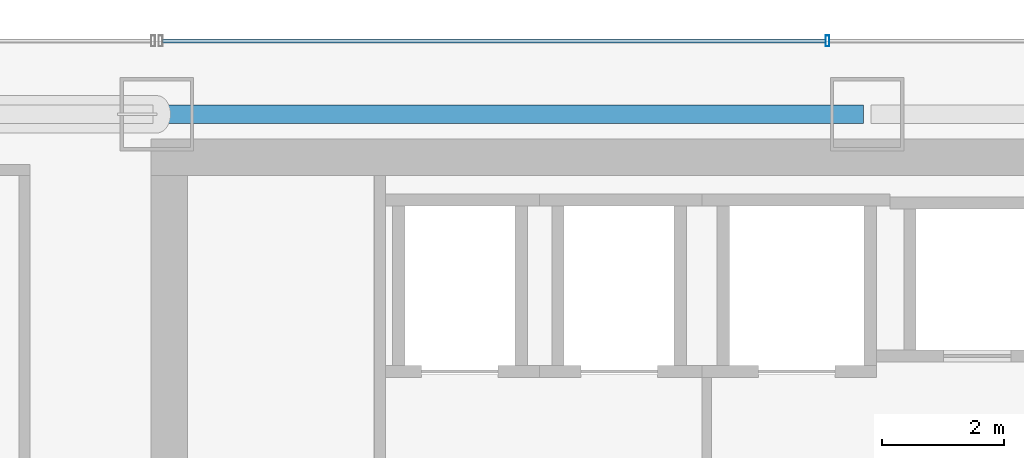
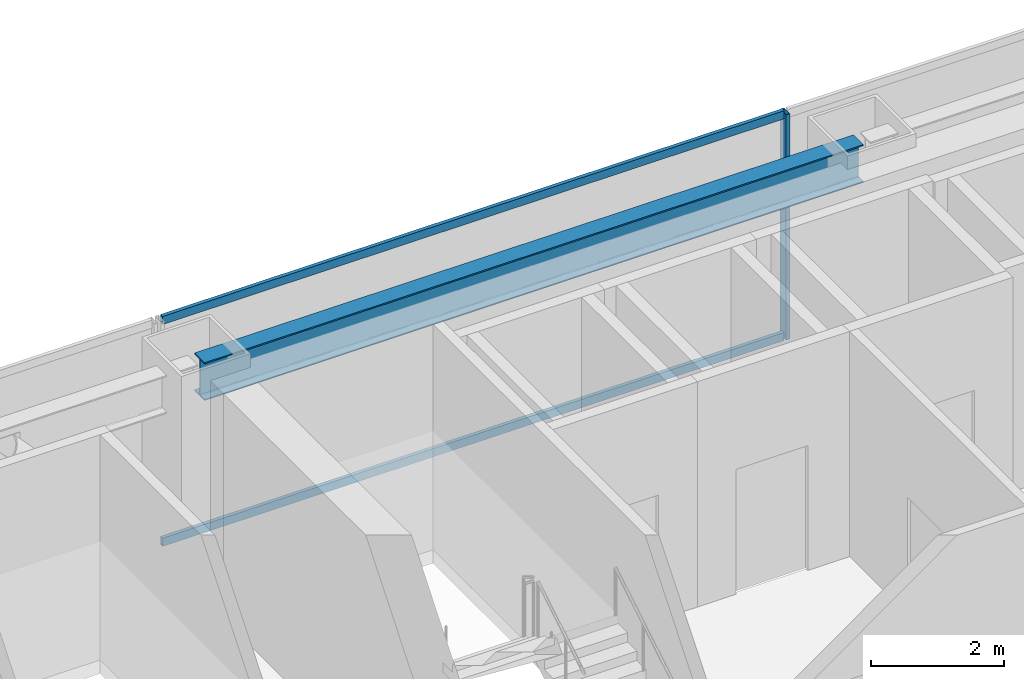
# One storey, part 27 of 47: 3 members, 1 beam, 1 element without a shape of its own.
"""IFC4 building model written with IfcOpenShell, lengths in metres."""

from ifc_helpers import new_model, si_unit, direction, frame, origin, origin_2d, place, context, subcontext, project, spatial, hollow_rectangle, i_section, extrude, material, material_profile, profile_set, type_object, element, aggregate, save


model = new_model("IFC4")

# Units and contexts
model_context = context("Model", 3, precision=1e-05, world=origin(), true_north=direction((0.0, 1.0)))
body_context = subcontext(model_context, "Body", "Model", "MODEL_VIEW")
ifc_project = project(units=[si_unit("LENGTHUNIT", "METRE"), si_unit("AREAUNIT", "SQUARE_METRE"), si_unit("VOLUMEUNIT", "CUBIC_METRE"), si_unit("PLANEANGLEUNIT", "RADIAN"), si_unit("MASSUNIT", "GRAM", prefix="KILO")], contexts=[model_context])

# Site, building, storey
site_placement = place(None, origin())
site = spatial("IfcSite", under=ifc_project, at=site_placement, CompositionType="ELEMENT")
building_placement = place(site_placement, origin())
building = spatial("IfcBuilding", under=site, at=building_placement, Name="Saevonmaru Cultural Tower", CompositionType="ELEMENT")
storey_placement = place(building_placement, frame((0.0, 0.0, 92.800048828125)))
storey = spatial("IfcBuildingStorey", under=building, at=storey_placement, Name="L19", CompositionType="ELEMENT", Elevation=92.800048828125)

# Beam
ifc_material_1 = material(Name="Steel SM355", Category="steel")
ifc_material_profile_1 = material_profile(ifc_material_1, i_section(OverallWidth=0.300048828125, OverallDepth=0.699951171875, WebThickness=0.012939453125, FlangeThickness=0.02392578125, FilletRadius=0.02587890625, at=origin_2d()), Name="H-700x300x13x24")
ifc_profile_set_1 = profile_set([ifc_material_profile_1], Name="Steel SM355")
beam_type = type_object("IfcBeamType", Name="BM-SP-H700", PredefinedType="SPANDREL", material=ifc_profile_set_1)
beam_placement = place(storey_placement, frame((13.659912109375, 54.800048828125, 3.800048828125), z_axis=(1.0, 0.0, 0.0), x_axis=(0.0, 1.0, 0.0)))
element("IfcBeam", 1, at=beam_placement, inside=storey, type_object=beam_type, Name="L19 North Spine Girder 2", PredefinedType="SPANDREL", context=body_context, shape_type="SweptSolid", body=[
    extrude(i_section(OverallWidth=0.300048828125, OverallDepth=0.699951171875, WebThickness=0.012939453125, FlangeThickness=0.02392578125, FilletRadius=0.02587890625, at=origin_2d()), origin(), (0.0, 0.0, 1.0), 11.47998046875),
])

# Curtain wall, members
ifc_material_2 = material(Name="Satin Bronze Anodised Aluminium", Category="aluminium")
curtain_wall_type = type_object("IfcCurtainWallType", Name="CW-TYP-A", PredefinedType="NOTDEFINED", material=ifc_material_2)
curtain_wall_placement = place(storey_placement, origin())
curtain_wall = element("IfcCurtainWall", 2, at=curtain_wall_placement, inside=storey, type_object=curtain_wall_type, Name="L19 North Spine Unitised Curtain Wall E10B", PredefinedType="NOTDEFINED")
ifc_material_profile_2 = material_profile(ifc_material_2, hollow_rectangle(XDim=0.06494140625, YDim=0.179931640625, WallThickness=0.00390625, at=origin_2d()), Name="ALU-MULL-180x65x4")
ifc_profile_set_2 = profile_set([ifc_material_profile_2], Name="Satin Bronze Anodised Aluminium")
member_type_1 = type_object("IfcMemberType", Name="ML-CW-180x65", PredefinedType="MULLION", material=ifc_profile_set_2)
member_1_placement = place(storey_placement, frame((24.55322265625, 56.0, 0.0), z_axis=(0.0, 0.0, 1.0), x_axis=(-1.0, 0.0, 0.0)))
member_1 = element("IfcMember", 3, at=member_1_placement, type_object=member_type_1, Name="CW-TW-L19-E10B mullion 3", PredefinedType="MULLION", context=body_context, shape_type="SweptSolid", body=[
    extrude(hollow_rectangle(XDim=0.06494140625, YDim=0.179931640625, WallThickness=0.00390625, at=origin_2d()), origin(), (0.0, 0.0, 1.0), 4.14990234375),
])
ifc_material_profile_3 = material_profile(ifc_material_2, hollow_rectangle(XDim=0.06494140625, YDim=0.14990234375, WallThickness=0.00390625, at=origin_2d()), Name="ALU-TRAN-150x65x4")
ifc_profile_set_3 = profile_set([ifc_material_profile_3], Name="Satin Bronze Anodised Aluminium")
member_type_2 = type_object("IfcMemberType", Name="TR-CW-150x65", PredefinedType="USERDEFINED", material=ifc_profile_set_3)
member_2_placement = place(storey_placement, frame((24.520751953125, 56.0, 0.032470703125), z_axis=(-1.0, 0.0, 0.0), x_axis=(0.0, -1.0, 0.0)))
member_2 = element("IfcMember", 4, at=member_2_placement, type_object=member_type_2, Name="CW-TW-L19-E10B transom 3.1", ObjectType="TRANSOM", PredefinedType="USERDEFINED", context=body_context, shape_type="SweptSolid", body=[
    extrude(hollow_rectangle(XDim=0.06494140625, YDim=0.14990234375, WallThickness=0.00390625, at=origin_2d()), origin(), (0.0, 0.0, 1.0), 10.828369140625),
])
member_3_placement = place(storey_placement, frame((24.520751953125, 56.0, 4.117431640625), z_axis=(-1.0, 0.0, 0.0), x_axis=(0.0, -1.0, 0.0)))
member_3 = element("IfcMember", 5, at=member_3_placement, type_object=member_type_2, Name="CW-TW-L19-E10B transom 3.2", ObjectType="TRANSOM", PredefinedType="USERDEFINED", context=body_context, shape_type="SweptSolid", body=[
    extrude(hollow_rectangle(XDim=0.06494140625, YDim=0.14990234375, WallThickness=0.00390625, at=origin_2d()), origin(), (0.0, 0.0, 1.0), 10.828369140625),
])
aggregate(curtain_wall, [member_1, member_2, member_3])

save(model, "model.ifc")
